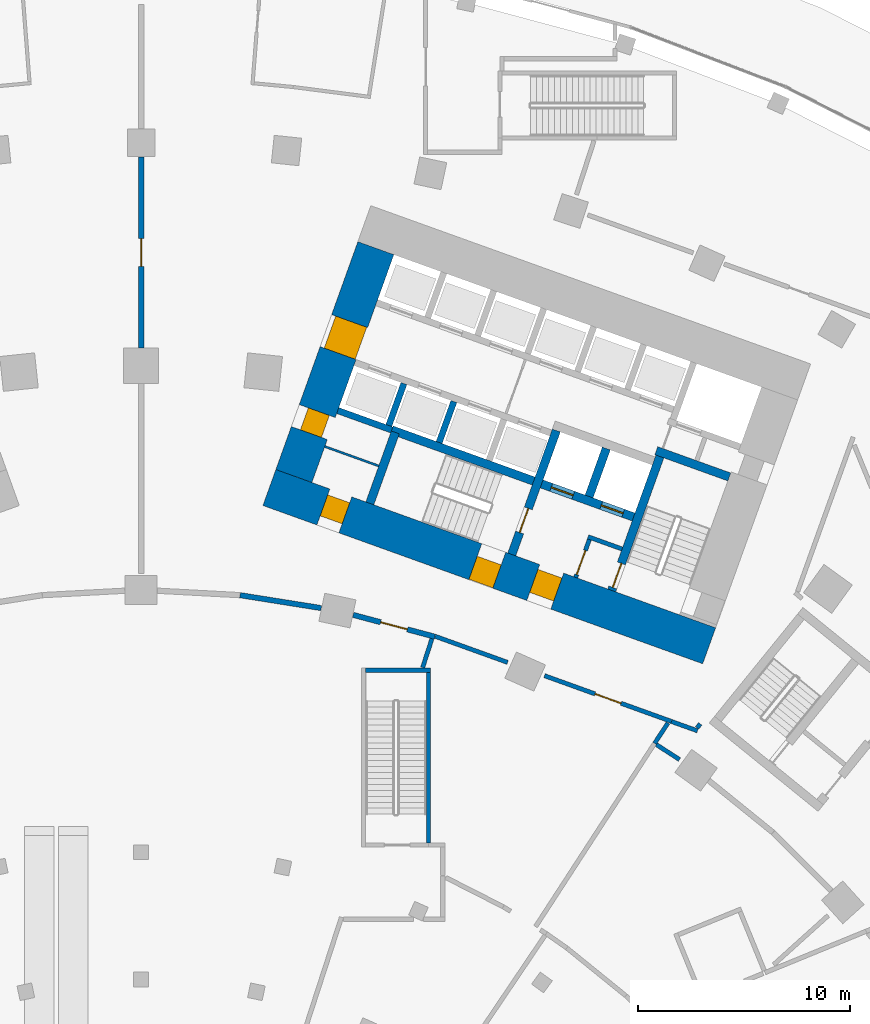
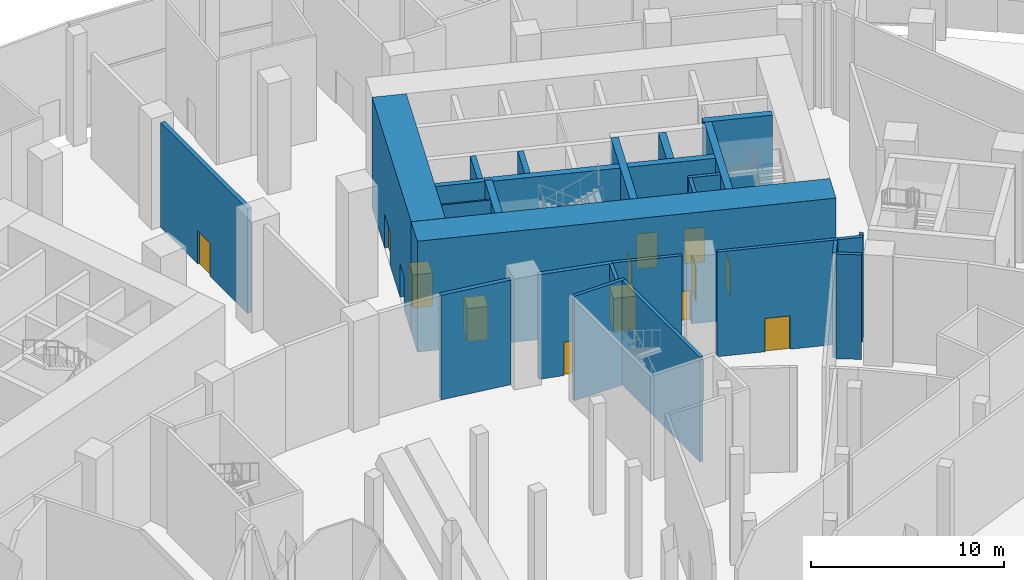
# One storey, part 34 of 60: 26 walls, 13 doors, 13 openings.
"""IFC4 building model written with IfcOpenShell, lengths in metres."""

from ifc_helpers import new_model, si_unit, direction, frame, frame_2d, origin, place, context, subcontext, project, spatial, rectangle, extrude, material, layer, layer_set, type_object, element, fill, save


model = new_model("IFC4")

# Units and contexts
model_context = context("Model", 3, precision=1e-05, world=origin(), true_north=direction((0.0, 1.0)))
body_context = subcontext(model_context, "Body", "Model", "MODEL_VIEW")
ifc_project = project(units=[si_unit("LENGTHUNIT", "METRE"), si_unit("AREAUNIT", "SQUARE_METRE"), si_unit("VOLUMEUNIT", "CUBIC_METRE"), si_unit("PLANEANGLEUNIT", "RADIAN"), si_unit("MASSUNIT", "GRAM", prefix="KILO")], contexts=[model_context])

# Site, building, storey
site_placement = place(None, origin())
site = spatial("IfcSite", under=ifc_project, at=site_placement, CompositionType="ELEMENT")
building_placement = place(site_placement, origin())
building = spatial("IfcBuilding", under=site, at=building_placement, Name="Stone Belt Terrace Tower", CompositionType="ELEMENT")
storey_placement = place(building_placement, origin())
storey = spatial("IfcBuildingStorey", under=building, at=storey_placement, Name="L00", CompositionType="ELEMENT", Elevation=0.0)

# Wall
ifc_material_1 = material(Name="Plasterboard partition")
ifc_layer_1 = layer(ifc_material_1, 0.10009765625)
ifc_layer_set_1 = layer_set([ifc_layer_1], Name="Core partition 100")
wall_type_1 = type_object("IfcWallType", Name="Core partition 100", PredefinedType="PARTITIONING", material=ifc_layer_set_1)
wall_1_placement = place(storey_placement, frame((11.187744140625, 50.2822265625, 0.0), z_axis=(0.0, 0.0, 1.0), x_axis=(-0.940949642365, 0.338546555931, 0.0)))
element("IfcWall", 1, at=wall_1_placement, inside=storey, type_object=wall_type_1, Name="Core B wall", PredefinedType="PARTITIONING", context=body_context, shape_type="SweptSolid", body=[
    extrude(rectangle(XDim=2.699951171875, YDim=0.10009765625, at=frame_2d((1.35009765625, 0.0))), origin(), (0.0, 0.0, 1.0), 6.60009765625),
])

# Wall, openings, doors
ifc_material_2 = material(Name="Concrete B80", Category="concrete")
ifc_layer_2 = layer(ifc_material_2, 1.800048828125)
ifc_layer_set_2 = layer_set([ifc_layer_2], Name="Core wall 1800 B80")
wall_type_2 = type_object("IfcWallType", Name="Core wall 1800 B80", PredefinedType="SHEAR", material=ifc_layer_set_2)
wall_2_placement = place(storey_placement, frame((6.039306640625, 49.265380859375, 0.0), z_axis=(0.0, 0.0, 1.0), x_axis=(0.940921642213, -0.338624368902, 0.0)))
wall_2 = element("IfcWall", 2, at=wall_2_placement, inside=storey, type_object=wall_type_2, Name="Core B wall concave L00", PredefinedType="SHEAR", context=body_context, shape_type="SweptSolid", body=[
    extrude(rectangle(XDim=22.0, YDim=1.800048828125, at=frame_2d((11.0, 0.0))), origin(), (0.0, 0.0, 1.0), 7.0),
])
opening_1_placement = place(wall_2_placement, frame((13.199951171875, 0.0, 0.0)))
opening_1 = element("IfcOpeningElement", 3, at=opening_1_placement, cuts=wall_2, Name="Opening L00-C19", PredefinedType="OPENING", context=body_context, shape_type="SweptSolid", body=[
    extrude(rectangle(XDim=1.199951171875, YDim=2.10009765625, at=frame_2d((0.60009765625, 1.050048828125))), frame((0.0, 0.909912109375, 0.0), z_axis=(0.0, -1.0, 0.0), x_axis=(1.0, 0.0, 0.0)), (0.0, 0.0, 1.0), 1.820068359375),
])
opening_2_placement = place(wall_2_placement, frame((10.300048828125, 0.0, 0.0)))
opening_2 = element("IfcOpeningElement", 4, at=opening_2_placement, cuts=wall_2, Name="Opening L00-C22", PredefinedType="OPENING", context=body_context, shape_type="SweptSolid", body=[
    extrude(rectangle(XDim=1.199951171875, YDim=2.10009765625, at=frame_2d((0.60009765625, 1.050048828125))), frame((0.0, 0.909912109375, 0.0), z_axis=(0.0, -1.0, 0.0), x_axis=(1.0, 0.0, 0.0)), (0.0, 0.0, 1.0), 1.820068359375),
])
opening_3_placement = place(wall_2_placement, frame((2.699951171875, 0.0, 0.0)))
opening_3 = element("IfcOpeningElement", 5, at=opening_3_placement, cuts=wall_2, Name="Opening L00-C24", PredefinedType="OPENING", context=body_context, shape_type="SweptSolid", body=[
    extrude(rectangle(XDim=1.10009765625, YDim=2.10009765625, at=frame_2d((0.550048828125, 1.050048828125))), frame((0.0, 0.909912109375, 0.0), z_axis=(0.0, -1.0, 0.0), x_axis=(1.0, 0.0, 0.0)), (0.0, 0.0, 1.0), 1.820068359375),
])
ifc_material_3 = material(Name="Timber door leaf", Category="wood")
door_type_1 = type_object("IfcDoorType", Name="Core room door 1100", OperationType="SINGLE_SWING_LEFT", PredefinedType="DOOR", material=ifc_material_3)
door_1_placement = place(opening_3_placement, origin())
door_1 = element("IfcDoor", 6, at=door_1_placement, inside=storey, type_object=door_type_1, Name="Door to Cleaner's store core B", OperationType="SINGLE_SWING_RIGHT", OverallHeight=2.10009765625, OverallWidth=1.10009765625, PredefinedType="DOOR", context=body_context, shape_type="SweptSolid", body=[
    extrude(rectangle(XDim=1.10009765625, YDim=2.10009765625, at=frame_2d((0.550048828125, 1.050048828125))), frame((0.0, 0.60498046875, 0.0), z_axis=(0.0, -1.0, 0.0), x_axis=(1.0, 0.0, 0.0)), (0.0, 0.0, 1.0), 1.050048828125),
])
fill(opening_3, door_1)
ifc_material_4 = material(Name="Steel door leaf", Category="steel")
door_type_2 = type_object("IfcDoorType", Name="Fire-fighting lobby door 1200", OperationType="SINGLE_SWING_LEFT", PredefinedType="DOOR", material=ifc_material_4)
door_2_placement = place(opening_1_placement, origin())
door_2 = element("IfcDoor", 7, at=door_2_placement, inside=storey, type_object=door_type_2, Name="Fire-fighting lobby door core B", OperationType="SINGLE_SWING_RIGHT", OverallHeight=2.10009765625, OverallWidth=1.199951171875, PredefinedType="DOOR", context=body_context, shape_type="SweptSolid", body=[
    extrude(rectangle(XDim=1.199951171875, YDim=2.10009765625, at=frame_2d((0.60009765625, 1.050048828125))), frame((0.0, 0.655029296875, 0.0), z_axis=(0.0, -1.0, 0.0), x_axis=(1.0, 0.0, 0.0)), (0.0, 0.0, 1.0), 1.14990234375),
])
fill(opening_1, door_2)
door_type_3 = type_object("IfcDoorType", Name="Stair door 1200", OperationType="SINGLE_SWING_LEFT", PredefinedType="DOOR", material=ifc_material_4)
door_3_placement = place(opening_2_placement, origin())
door_3 = element("IfcDoor", 8, at=door_3_placement, inside=storey, type_object=door_type_3, Name="Stair 2 exit door core B", OperationType="SINGLE_SWING_LEFT", OverallHeight=2.10009765625, OverallWidth=1.199951171875, PredefinedType="DOOR", context=body_context, shape_type="SweptSolid", body=[
    extrude(rectangle(XDim=1.199951171875, YDim=2.10009765625, at=frame_2d((0.60009765625, 1.050048828125))), frame((0.0, 0.27001953125, 0.0), z_axis=(0.0, -1.0, 0.0), x_axis=(1.0, 0.0, 0.0)), (0.0, 0.0, 1.0), 1.14990234375),
])
fill(opening_2, door_3)

wall_3_placement = place(storey_placement, frame((7.19091796875, 49.8076171875, 0.0), z_axis=(0.0, 0.0, 1.0), x_axis=(0.338632255135, 0.940918804033, 0.0)))
wall_3 = element("IfcWall", 9, at=wall_3_placement, inside=storey, type_object=wall_type_2, Name="Core B wall end_a L00", PredefinedType="SHEAR", context=body_context, shape_type="SweptSolid", body=[
    extrude(rectangle(XDim=11.39990234375, YDim=1.800048828125, at=frame_2d((5.699951171875, 0.0))), origin(), (0.0, 0.0, 1.0), 7.0),
])
opening_4_placement = place(wall_3_placement, frame((6.14990234375, 0.0, 0.0)))
opening_4 = element("IfcOpeningElement", 10, at=opening_4_placement, cuts=wall_3, Name="Opening L00-C16", PredefinedType="OPENING", context=body_context, shape_type="SweptSolid", body=[
    extrude(rectangle(XDim=1.60009765625, YDim=2.10009765625, at=frame_2d((0.800048828125, 1.050048828125))), frame((0.0, 0.909912109375, 0.0), z_axis=(0.0, -1.0, 0.0), x_axis=(1.0, 0.0, 0.0)), (0.0, 0.0, 1.0), 1.820068359375),
])
opening_5_placement = place(wall_3_placement, frame((2.14990234375, 0.0, 0.0)))
opening_5 = element("IfcOpeningElement", 11, at=opening_5_placement, cuts=wall_3, Name="Opening L00-C23", PredefinedType="OPENING", context=body_context, shape_type="SweptSolid", body=[
    extrude(rectangle(XDim=1.10009765625, YDim=2.10009765625, at=frame_2d((0.550048828125, 1.050048828125))), frame((0.0, 0.909912109375, 0.0), z_axis=(0.0, -1.0, 0.0), x_axis=(1.0, 0.0, 0.0)), (0.0, 0.0, 1.0), 1.820068359375),
])
door_4_placement = place(opening_5_placement, origin())
door_4 = element("IfcDoor", 12, at=door_4_placement, inside=storey, type_object=door_type_1, Name="Door to Accessible WC core B", OperationType="SINGLE_SWING_LEFT", OverallHeight=2.10009765625, OverallWidth=1.10009765625, PredefinedType="DOOR", context=body_context, shape_type="SweptSolid", body=[
    extrude(rectangle(XDim=1.10009765625, YDim=2.10009765625, at=frame_2d((0.550048828125, 1.050048828125))), frame((0.0, 0.44482421875, 0.0), z_axis=(0.0, -1.0, 0.0), x_axis=(1.0, 0.0, 0.0)), (0.0, 0.0, 1.0), 1.050048828125),
])
fill(opening_5, door_4)
ifc_material_5 = material(Name="Glazed aluminium door leaf", Category="aluminium")
door_type_4 = type_object("IfcDoorType", Name="Lift lobby entrance door 1600", OperationType="DOUBLE_DOOR_SINGLE_SWING", PredefinedType="DOOR", material=ifc_material_5)
door_5_placement = place(opening_4_placement, origin())
door_5 = element("IfcDoor", 13, at=door_5_placement, inside=storey, type_object=door_type_4, Name="Lift lobby entrance door core B", OperationType="DOUBLE_DOOR_SINGLE_SWING", OverallHeight=2.10009765625, OverallWidth=1.60009765625, PredefinedType="DOOR", context=body_context, shape_type="SweptSolid", body=[
    extrude(rectangle(XDim=1.60009765625, YDim=2.10009765625, at=frame_2d((0.800048828125, 1.050048828125))), frame((0.0, 0.69482421875, 0.0), z_axis=(0.0, -1.0, 0.0), x_axis=(1.0, 0.0, 0.0)), (0.0, 0.0, 1.0), 1.550048828125),
])
fill(opening_4, door_5)

# Wall
ifc_layer_3 = layer(ifc_material_2, 0.39990234375)
ifc_layer_set_3 = layer_set([ifc_layer_3], Name="Fire-fighting lift shaft wall 400")
wall_type_3 = type_object("IfcWallType", Name="Fire-fighting lift shaft wall 400", PredefinedType="SHEAR", material=ifc_layer_set_3)
wall_4_placement = place(storey_placement, frame((21.0859375, 48.845458984375, 0.0), z_axis=(0.0, 0.0, 1.0), x_axis=(0.338629416206, 0.940919825745, 0.0)))
element("IfcWall", 14, at=wall_4_placement, inside=storey, type_object=wall_type_3, Name="Core B wall", PredefinedType="SHEAR", context=body_context, shape_type="SweptSolid", body=[
    extrude(rectangle(XDim=2.400146484375, YDim=0.39990234375, at=frame_2d((1.2001953125, 0.0))), origin(), (0.0, 0.0, 1.0), 6.60009765625),
])

# Wall, opening, door
ifc_material_6 = material(Name="Fire-resistant glazing in steel frame", Category="steel")
ifc_layer_4 = layer(ifc_material_6, 0.25)
ifc_layer_set_4 = layer_set([ifc_layer_4], Name="Glazed compartment fire screen 250")
wall_type_4 = type_object("IfcWallType", Name="Glazed compartment fire screen 250", PredefinedType="PARTITIONING", material=ifc_layer_set_4)
wall_5_placement = place(storey_placement, frame((0.0, 55.844970703125, 0.0), z_axis=(0.0, 0.0, 1.0), x_axis=(0.0, 1.0, 0.0)))
wall_5 = element("IfcWall", 15, at=wall_5_placement, inside=storey, type_object=wall_type_4, Name="Compartment fire screen L00 7", PredefinedType="PARTITIONING", context=body_context, shape_type="SweptSolid", body=[
    extrude(rectangle(XDim=8.973876953125, YDim=0.25, at=frame_2d((4.48681640625, 0.0))), origin(), (0.0, 0.0, 1.0), 6.60009765625),
])
opening_6_placement = place(wall_5_placement, frame((3.8369140625, 0.0, 0.0)))
opening_6 = element("IfcOpeningElement", 16, at=opening_6_placement, cuts=wall_5, Name="Opening L00-P39", PredefinedType="OPENING", context=body_context, shape_type="SweptSolid", body=[
    extrude(rectangle(XDim=1.300048828125, YDim=2.10009765625, at=frame_2d((0.64990234375, 1.050048828125))), frame((0.0, 0.135009765625, 0.0), z_axis=(0.0, -1.0, 0.0), x_axis=(1.0, 0.0, 0.0)), (0.0, 0.0, 1.0), 0.27001953125),
])
ifc_material_7 = material(Name="Steel framed fire door leaf", Category="steel")
door_type_5 = type_object("IfcDoorType", Name="Fire door 1300 x 2100 EI 60", OperationType="SINGLE_SWING_LEFT", PredefinedType="DOOR", material=ifc_material_7)
door_6_placement = place(opening_6_placement, origin())
door_6 = element("IfcDoor", 17, at=door_6_placement, inside=storey, type_object=door_type_5, Name="Fire door 1300 x 2100 EI 60", OperationType="SINGLE_SWING_LEFT", OverallHeight=2.10009765625, OverallWidth=1.300048828125, PredefinedType="DOOR", context=body_context, shape_type="SweptSolid", body=[
    extrude(rectangle(XDim=1.300048828125, YDim=2.10009765625, at=frame_2d((0.64990234375, 1.050048828125))), frame((0.0, 0.02490234375, 0.0), z_axis=(0.0, -1.0, 0.0), x_axis=(1.0, 0.0, 0.0)), (0.0, 0.0, 1.0), 0.050048828125),
])
fill(opening_6, door_6)

# Wall
wall_6_placement = place(storey_placement, frame((4.656494140625, 44.198974609375, 0.0), z_axis=(0.0, 0.0, 1.0), x_axis=(0.98758230791, -0.157102466888, 0.0)))
element("IfcWall", 18, at=wall_6_placement, inside=storey, type_object=wall_type_4, Name="Compartment fire screen L00 9", PredefinedType="PARTITIONING", context=body_context, shape_type="SweptSolid", body=[
    extrude(rectangle(XDim=3.87109375, YDim=0.25, at=frame_2d((1.935546875, 0.0))), origin(), (0.0, 0.0, 1.0), 6.60009765625),
])

# Wall, opening, door
wall_7_placement = place(storey_placement, frame((9.9833984375, 43.271240234375, 0.0), z_axis=(0.0, 0.0, 1.0), x_axis=(0.966095249912, -0.258185917697, 0.0)))
wall_7 = element("IfcWall", 19, at=wall_7_placement, inside=storey, type_object=wall_type_4, Name="Compartment fire screen L00 10", PredefinedType="PARTITIONING", context=body_context, shape_type="SweptSolid", body=[
    extrude(rectangle(XDim=3.97802734375, YDim=0.25, at=frame_2d((1.989013671875, 0.0))), origin(), (0.0, 0.0, 1.0), 6.60009765625),
])
opening_7_placement = place(wall_7_placement, frame((1.339111328125, 0.0, 0.0)))
opening_7 = element("IfcOpeningElement", 20, at=opening_7_placement, cuts=wall_7, Name="Opening L00-P38", PredefinedType="OPENING", context=body_context, shape_type="SweptSolid", body=[
    extrude(rectangle(XDim=1.300048828125, YDim=2.10009765625, at=frame_2d((0.64990234375, 1.050048828125))), frame((0.0, 0.135009765625, 0.0), z_axis=(0.0, -1.0, 0.0), x_axis=(1.0, 0.0, 0.0)), (0.0, 0.0, 1.0), 0.27001953125),
])
door_7_placement = place(opening_7_placement, origin())
door_7 = element("IfcDoor", 21, at=door_7_placement, inside=storey, type_object=door_type_5, Name="Fire door 1300 x 2100 EI 60", OperationType="SINGLE_SWING_LEFT", OverallHeight=2.10009765625, OverallWidth=1.300048828125, PredefinedType="DOOR", context=body_context, shape_type="SweptSolid", body=[
    extrude(rectangle(XDim=1.300048828125, YDim=2.10009765625, at=frame_2d((0.64990234375, 1.050048828125))), frame((0.0, 0.02490234375, 0.0), z_axis=(0.0, -1.0, 0.0), x_axis=(1.0, 0.0, 0.0)), (0.0, 0.0, 1.0), 0.050048828125),
])
fill(opening_7, door_7)

# Walls
ifc_layer_5 = layer(ifc_material_2, 0.300048828125)
ifc_layer_set_5 = layer_set([ifc_layer_5], Name="Lift shaft wall 300")
wall_type_5 = type_object("IfcWallType", Name="Lift shaft wall 300", PredefinedType="SHEAR", material=ifc_layer_set_5)
wall_8_placement = place(storey_placement, frame((14.029052734375, 51.38525390625, 0.0), z_axis=(0.0, 0.0, 1.0), x_axis=(0.338681515556, 0.940901073982, 0.0)))
element("IfcWall", 22, at=wall_8_placement, inside=storey, type_object=wall_type_5, Name="Core B wall", PredefinedType="SHEAR", context=body_context, shape_type="SweptSolid", body=[
    extrude(rectangle(XDim=2.050048828125, YDim=0.300048828125, at=frame_2d((1.02490234375, 0.0))), origin(), (0.0, 0.0, 1.0), 6.60009765625),
])
wall_9_placement = place(storey_placement, frame((11.797119140625, 51.975830078125, 0.0), z_axis=(0.0, 0.0, 1.0), x_axis=(-0.940910465161, 0.33865542451, 0.0)))
element("IfcWall", 23, at=wall_9_placement, inside=storey, type_object=wall_type_5, Name="Core B wall", PredefinedType="SHEAR", context=body_context, shape_type="SweptSolid", body=[
    extrude(rectangle(XDim=2.69970703125, YDim=0.300048828125, at=frame_2d((1.349853515625, 0.0))), origin(), (0.0, 0.0, 1.0), 6.60009765625),
])
wall_10_placement = place(storey_placement, frame((11.659912109375, 52.184814453125, 0.0), z_axis=(0.0, 0.0, 1.0), x_axis=(0.338670064856, 0.940905195634, 0.0)))
element("IfcWall", 24, at=wall_10_placement, inside=storey, type_object=wall_type_5, Name="Core B wall", PredefinedType="SHEAR", context=body_context, shape_type="SweptSolid", body=[
    extrude(rectangle(XDim=2.099853515625, YDim=0.300048828125, at=frame_2d((1.0498046875, 0.0))), origin(), (0.0, 0.0, 1.0), 6.60009765625),
])
ifc_material_8 = material(Name="Blockwork wall, plastered both faces", Category="masonry")
ifc_layer_6 = layer(ifc_material_8, 0.199951171875)
ifc_layer_set_6 = layer_set([ifc_layer_6], Name="Podium demising wall 200")
wall_type_6 = type_object("IfcWallType", Name="Podium demising wall 200", PredefinedType="PARTITIONING", material=ifc_layer_set_6)
wall_11_placement = place(storey_placement, frame((13.252197265625, 40.79052734375, 0.0), z_axis=(0.0, 0.0, 1.0), x_axis=(0.307247281282, 0.951629711676, 0.0)))
element("IfcWall", 25, at=wall_11_placement, inside=storey, type_object=wall_type_6, Name="Podium demising wall 200", PredefinedType="PARTITIONING", context=body_context, shape_type="SweptSolid", body=[
    extrude(rectangle(XDim=1.429443359375, YDim=0.199951171875, at=frame_2d((0.71484375, 0.0))), origin(), (0.0, 0.0, 1.0), 6.60009765625),
])
wall_12_placement = place(storey_placement, frame((13.841552734375, 42.263427734375, 0.0), z_axis=(0.0, 0.0, 1.0), x_axis=(0.940809296417, -0.338936377179, 0.0)))
element("IfcWall", 26, at=wall_12_placement, inside=storey, type_object=wall_type_6, Name="Podium demising wall 200", PredefinedType="PARTITIONING", context=body_context, shape_type="SweptSolid", body=[
    extrude(rectangle(XDim=3.626708984375, YDim=0.199951171875, at=frame_2d((1.8134765625, 0.0))), origin(), (0.0, 0.0, 1.0), 6.60009765625),
])

# Wall, opening, door
wall_13_placement = place(storey_placement, frame((18.9873046875, 40.409423828125, 0.0), z_axis=(0.0, 0.0, 1.0), x_axis=(0.940803157829, -0.338953416001, 0.0)))
wall_13 = element("IfcWall", 27, at=wall_13_placement, inside=storey, type_object=wall_type_6, Name="Podium demising wall 200", PredefinedType="PARTITIONING", context=body_context, shape_type="SweptSolid", body=[
    extrude(rectangle(XDim=6.355712890625, YDim=0.199951171875, at=frame_2d((3.177734375, 0.0))), origin(), (0.0, 0.0, 1.0), 6.60009765625),
])
opening_8_placement = place(wall_13_placement, frame((2.52783203125, 0.0, 0.0)))
opening_8 = element("IfcOpeningElement", 28, at=opening_8_placement, cuts=wall_13, Name="Opening L00-P33", PredefinedType="OPENING", context=body_context, shape_type="SweptSolid", body=[
    extrude(rectangle(XDim=1.300048828125, YDim=2.10009765625, at=frame_2d((0.64990234375, 1.050048828125))), frame((0.0, 0.10986328125, 0.0), z_axis=(0.0, -1.0, 0.0), x_axis=(1.0, 0.0, 0.0)), (0.0, 0.0, 1.0), 0.219970703125),
])
door_8_placement = place(opening_8_placement, origin())
door_8 = element("IfcDoor", 29, at=door_8_placement, inside=storey, type_object=door_type_5, Name="Fire door 1300 x 2100 EI 60", OperationType="SINGLE_SWING_LEFT", OverallHeight=2.10009765625, OverallWidth=1.300048828125, PredefinedType="DOOR", context=body_context, shape_type="SweptSolid", body=[
    extrude(rectangle(XDim=1.300048828125, YDim=2.10009765625, at=frame_2d((0.64990234375, 1.050048828125))), frame((0.0, 0.02490234375, 0.0), z_axis=(0.0, -1.0, 0.0), x_axis=(1.0, 0.0, 0.0)), (0.0, 0.0, 1.0), 0.050048828125),
])
fill(opening_8, door_8)

# Walls
wall_14_placement = place(storey_placement, frame((24.170166015625, 37.22021484375, 0.0), z_axis=(0.0, 0.0, 1.0), x_axis=(0.547437860913, 0.836846335021, 0.0)))
element("IfcWall", 30, at=wall_14_placement, inside=storey, type_object=wall_type_6, Name="Podium demising wall 200", PredefinedType="PARTITIONING", context=body_context, shape_type="SweptSolid", body=[
    extrude(rectangle(XDim=1.151611328125, YDim=0.199951171875, at=frame_2d((0.57568359375, 0.0))), origin(), (0.0, 0.0, 1.0), 6.60009765625),
])
wall_15_placement = place(storey_placement, frame((24.25390625, 37.165771484375, 0.0), z_axis=(0.0, 0.0, 1.0), x_axis=(0.839928549221, -0.542696998521, 0.0)))
element("IfcWall", 31, at=wall_15_placement, inside=storey, type_object=wall_type_6, Name="Podium demising wall 200", PredefinedType="PARTITIONING", context=body_context, shape_type="SweptSolid", body=[
    extrude(rectangle(XDim=1.296875, YDim=0.199951171875, at=frame_2d((0.6484375, 0.0))), origin(), (0.0, 0.0, 1.0), 6.60009765625),
])
wall_16_placement = place(storey_placement, frame((24.96728515625, 38.251708984375, 0.0), z_axis=(0.0, 0.0, 1.0), x_axis=(0.941554531532, -0.336860600474, 0.0)))
element("IfcWall", 32, at=wall_16_placement, inside=storey, type_object=wall_type_6, Name="Podium demising wall 200", PredefinedType="PARTITIONING", context=body_context, shape_type="SweptSolid", body=[
    extrude(rectangle(XDim=1.298095703125, YDim=0.199951171875, at=frame_2d((0.64892578125, 0.0))), origin(), (0.0, 0.0, 1.0), 6.60009765625),
])
wall_17_placement = place(storey_placement, frame((26.17041015625, 37.951416015625, 0.0), z_axis=(0.0, 0.0, 1.0), x_axis=(0.621845548103, 0.783139907235, 0.0)))
element("IfcWall", 33, at=wall_17_placement, inside=storey, type_object=wall_type_6, Name="Podium demising wall 200", PredefinedType="PARTITIONING", context=body_context, shape_type="SweptSolid", body=[
    extrude(rectangle(XDim=0.24072265625, YDim=0.199951171875, at=frame_2d((0.120361328125, 0.0))), origin(), (0.0, 0.0, 1.0), 6.60009765625),
])
ifc_material_9 = material(Name="Concrete B30", Category="concrete")
ifc_layer_7 = layer(ifc_material_9, 0.199951171875)
ifc_layer_set_7 = layer_set([ifc_layer_7], Name="Podium stair and shaft wall 200")
wall_type_7 = type_object("IfcWallType", Name="Podium stair and shaft wall 200", PredefinedType="SOLIDWALL", material=ifc_layer_set_7)
wall_18_placement = place(storey_placement, frame((10.570068359375, 40.659912109375, 0.0), z_axis=(0.0, 0.0, 1.0), x_axis=(1.0, 0.0, 0.0)))
element("IfcWall", 34, at=wall_18_placement, inside=storey, type_object=wall_type_7, Name="Podium stair and shaft wall 200", PredefinedType="SOLIDWALL", context=body_context, shape_type="SweptSolid", body=[
    extrude(rectangle(XDim=3.059814453125, YDim=0.199951171875, at=frame_2d((1.52978515625, 0.0))), origin(), (0.0, 0.0, 1.0), 6.60009765625),
])
wall_19_placement = place(storey_placement, frame((13.530029296875, 32.5400390625, 0.0), z_axis=(0.0, 0.0, 1.0), x_axis=(0.0, 1.0, 0.0)))
element("IfcWall", 35, at=wall_19_placement, inside=storey, type_object=wall_type_7, Name="Podium stair and shaft wall 200", PredefinedType="SOLIDWALL", context=body_context, shape_type="SweptSolid", body=[
    extrude(rectangle(XDim=8.02001953125, YDim=0.199951171875, at=frame_2d((4.010009765625, 0.0))), origin(), (0.0, 0.0, 1.0), 6.60009765625),
])
ifc_material_10 = material(Name="Concrete masonry block", Category="masonry")
ifc_layer_8 = layer(ifc_material_10, 0.199951171875)
ifc_layer_set_8 = layer_set([ifc_layer_8], Name="Rated lobby wall 200")
wall_type_8 = type_object("IfcWallType", Name="Rated lobby wall 200", PredefinedType="PARTITIONING", material=ifc_layer_set_8)
wall_20_placement = place(storey_placement, frame((22.640625, 46.373046875, 0.0), z_axis=(0.0, 0.0, 1.0), x_axis=(-0.940966110313, 0.338500781747, 0.0)))
element("IfcWall", 36, at=wall_20_placement, inside=storey, type_object=wall_type_8, Name="Core B wall", PredefinedType="PARTITIONING", context=body_context, shape_type="SweptSolid", body=[
    extrude(rectangle(XDim=1.699951171875, YDim=0.199951171875, at=frame_2d((0.85009765625, 0.0))), origin(), (0.0, 0.0, 1.0), 6.60009765625),
])

# Wall, opening, door
wall_21_placement = place(storey_placement, frame((20.4580078125, 45.032958984375, 0.0), z_axis=(0.0, 0.0, 1.0), x_axis=(0.338573865316, 0.940939816208, 0.0)))
wall_21 = element("IfcWall", 37, at=wall_21_placement, inside=storey, type_object=wall_type_8, Name="Core B wall", PredefinedType="PARTITIONING", context=body_context, shape_type="SweptSolid", body=[
    extrude(rectangle(XDim=1.900146484375, YDim=0.199951171875, at=frame_2d((0.9501953125, 0.0))), origin(), (0.0, 0.0, 1.0), 6.60009765625),
])
opening_9_placement = place(wall_21_placement, frame((0.14990234375, 0.0, 0.0)))
opening_9 = element("IfcOpeningElement", 38, at=opening_9_placement, cuts=wall_21, Name="Opening L00-C18", PredefinedType="OPENING", context=body_context, shape_type="SweptSolid", body=[
    extrude(rectangle(XDim=1.199951171875, YDim=2.10009765625, at=frame_2d((0.60009765625, 1.050048828125))), frame((0.0, 0.10986328125, 0.0), z_axis=(0.0, -1.0, 0.0), x_axis=(1.0, 0.0, 0.0)), (0.0, 0.0, 1.0), 0.219970703125),
])
door_9_placement = place(opening_9_placement, origin())
door_9 = element("IfcDoor", 39, at=door_9_placement, inside=storey, type_object=door_type_3, Name="Stair airlock door core B", OperationType="SINGLE_SWING_RIGHT", OverallHeight=2.10009765625, OverallWidth=1.199951171875, PredefinedType="DOOR", context=body_context, shape_type="SweptSolid", body=[
    extrude(rectangle(XDim=1.199951171875, YDim=2.10009765625, at=frame_2d((0.60009765625, 1.050048828125))), frame((0.0, 0.02490234375, 0.0), z_axis=(0.0, -1.0, 0.0), x_axis=(1.0, 0.0, 0.0)), (0.0, 0.0, 1.0), 0.050048828125),
])
fill(opening_9, door_9)

# Wall
ifc_layer_9 = layer(ifc_material_2, 0.39990234375)
ifc_layer_set_9 = layer_set([ifc_layer_9], Name="Stair enclosure wall 400")
wall_type_9 = type_object("IfcWallType", Name="Stair enclosure wall 400", PredefinedType="SHEAR", material=ifc_layer_set_9)
wall_22_placement = place(storey_placement, frame((27.687255859375, 49.764404296875, 0.0), z_axis=(0.0, 0.0, 1.0), x_axis=(-0.940918954884, 0.338631835981, 0.0)))
element("IfcWall", 40, at=wall_22_placement, inside=storey, type_object=wall_type_9, Name="Core B wall", PredefinedType="SHEAR", context=body_context, shape_type="SweptSolid", body=[
    extrude(rectangle(XDim=3.650146484375, YDim=0.39990234375, at=frame_2d((1.8251953125, 0.0))), origin(), (0.0, 0.0, 1.0), 6.60009765625),
])

# Wall, opening, door
wall_23_placement = place(storey_placement, frame((22.151611328125, 44.42333984375, 0.0), z_axis=(0.0, 0.0, 1.0), x_axis=(0.338625272931, 0.940921316866, 0.0)))
wall_23 = element("IfcWall", 41, at=wall_23_placement, inside=storey, type_object=wall_type_9, Name="Core B wall", PredefinedType="SHEAR", context=body_context, shape_type="SweptSolid", body=[
    extrude(rectangle(XDim=6.699951171875, YDim=0.39990234375, at=frame_2d((3.35009765625, 0.0))), origin(), (0.0, 0.0, 1.0), 6.60009765625),
])
opening_10_placement = place(wall_23_placement, frame((0.14990234375, 0.0, 0.0)))
opening_10 = element("IfcOpeningElement", 42, at=opening_10_placement, cuts=wall_23, Name="Opening L00-C17", PredefinedType="OPENING", context=body_context, shape_type="SweptSolid", body=[
    extrude(rectangle(XDim=1.199951171875, YDim=2.10009765625, at=frame_2d((0.60009765625, 1.050048828125))), frame((0.0, 0.2099609375, 0.0), z_axis=(0.0, -1.0, 0.0), x_axis=(1.0, 0.0, 0.0)), (0.0, 0.0, 1.0), 0.419921875),
])
door_10_placement = place(opening_10_placement, origin())
door_10 = element("IfcDoor", 43, at=door_10_placement, inside=storey, type_object=door_type_3, Name="Stair 1 door core B", OperationType="SINGLE_SWING_RIGHT", OverallHeight=2.10009765625, OverallWidth=1.199951171875, PredefinedType="DOOR", context=body_context, shape_type="SweptSolid", body=[
    extrude(rectangle(XDim=1.199951171875, YDim=2.10009765625, at=frame_2d((0.60009765625, 1.050048828125))), frame((0.0, 0.02490234375, 0.0), z_axis=(0.0, -1.0, 0.0), x_axis=(1.0, 0.0, 0.0)), (0.0, 0.0, 1.0), 0.050048828125),
])
fill(opening_10, door_10)

# Wall, openings, doors
wall_24_placement = place(storey_placement, frame((23.182373046875, 47.87841796875, 0.0), z_axis=(0.0, 0.0, 1.0), x_axis=(-0.940921101762, 0.338625870628, 0.0)))
wall_24 = element("IfcWall", 44, at=wall_24_placement, inside=storey, type_object=wall_type_9, Name="Core B wall", PredefinedType="SHEAR", context=body_context, shape_type="SweptSolid", body=[
    extrude(rectangle(XDim=12.10009765625, YDim=0.39990234375, at=frame_2d((6.050048828125, 0.0))), origin(), (0.0, 0.0, 1.0), 6.60009765625),
])
opening_11_placement = place(wall_24_placement, frame((0.52001953125, 0.0, 0.0)))
opening_11 = element("IfcOpeningElement", 45, at=opening_11_placement, cuts=wall_24, Name="Opening L00-LD20", PredefinedType="OPENING", context=body_context, shape_type="SweptSolid", body=[
    extrude(rectangle(XDim=1.10009765625, YDim=2.199951171875, at=frame_2d((0.550048828125, 1.10009765625))), frame((0.0, 0.2099609375, 0.0), z_axis=(0.0, -1.0, 0.0), x_axis=(1.0, 0.0, 0.0)), (0.0, 0.0, 1.0), 0.419921875),
])
opening_12_placement = place(wall_24_placement, frame((3.02001953125, 0.0, 0.0)))
opening_12 = element("IfcOpeningElement", 46, at=opening_12_placement, cuts=wall_24, Name="Opening L00-LD21", PredefinedType="OPENING", context=body_context, shape_type="SweptSolid", body=[
    extrude(rectangle(XDim=1.10009765625, YDim=2.199951171875, at=frame_2d((0.550048828125, 1.10009765625))), frame((0.0, 0.2099609375, 0.0), z_axis=(0.0, -1.0, 0.0), x_axis=(1.0, 0.0, 0.0)), (0.0, 0.0, 1.0), 0.419921875),
])
ifc_material_11 = material(Name="Stainless steel door leaf", Category="steel")
door_type_6 = type_object("IfcDoorType", Name="Landing door 1100", OperationType="SLIDING_TO_LEFT", PredefinedType="DOOR", material=ifc_material_11)
door_11_placement = place(opening_11_placement, origin())
door_11 = element("IfcDoor", 47, at=door_11_placement, inside=storey, type_object=door_type_6, Name="Landing door FF1 core B", OperationType="SLIDING_TO_LEFT", OverallHeight=2.199951171875, OverallWidth=1.10009765625, PredefinedType="DOOR", context=body_context, shape_type="SweptSolid", body=[
    extrude(rectangle(XDim=1.10009765625, YDim=2.199951171875, at=frame_2d((0.550048828125, 1.10009765625))), frame((0.0, 0.02490234375, 0.0), z_axis=(0.0, -1.0, 0.0), x_axis=(1.0, 0.0, 0.0)), (0.0, 0.0, 1.0), 0.050048828125),
])
fill(opening_11, door_11)
door_12_placement = place(opening_12_placement, origin())
door_12 = element("IfcDoor", 48, at=door_12_placement, inside=storey, type_object=door_type_6, Name="Landing door FF2 core B", OperationType="SLIDING_TO_LEFT", OverallHeight=2.199951171875, OverallWidth=1.10009765625, PredefinedType="DOOR", context=body_context, shape_type="SweptSolid", body=[
    extrude(rectangle(XDim=1.10009765625, YDim=2.199951171875, at=frame_2d((0.550048828125, 1.10009765625))), frame((0.0, 0.02490234375, 0.0), z_axis=(0.0, -1.0, 0.0), x_axis=(1.0, 0.0, 0.0)), (0.0, 0.0, 1.0), 0.050048828125),
])
fill(opening_12, door_12)

# Wall, opening, door
wall_25_placement = place(storey_placement, frame((17.447021484375, 46.116455078125, 0.0), z_axis=(0.0, 0.0, 1.0), x_axis=(0.33860791464, 0.940927563707, 0.0)))
wall_25 = element("IfcWall", 49, at=wall_25_placement, inside=storey, type_object=wall_type_9, Name="Core B wall", PredefinedType="SHEAR", context=body_context, shape_type="SweptSolid", body=[
    extrude(rectangle(XDim=6.199951171875, YDim=0.39990234375, at=frame_2d((3.10009765625, 0.0))), origin(), (0.0, 0.0, 1.0), 6.60009765625),
])
opening_13_placement = place(wall_25_placement, frame((1.10009765625, 0.0, 0.0)))
opening_13 = element("IfcOpeningElement", 50, at=opening_13_placement, cuts=wall_25, Name="Opening L00-C20", PredefinedType="OPENING", context=body_context, shape_type="SweptSolid", body=[
    extrude(rectangle(XDim=1.199951171875, YDim=2.10009765625, at=frame_2d((0.60009765625, 1.050048828125))), frame((0.0, 0.2099609375, 0.0), z_axis=(0.0, -1.0, 0.0), x_axis=(1.0, 0.0, 0.0)), (0.0, 0.0, 1.0), 0.419921875),
])
door_13_placement = place(opening_13_placement, origin())
door_13 = element("IfcDoor", 51, at=door_13_placement, inside=storey, type_object=door_type_3, Name="Stair 2 door core B", OperationType="SINGLE_SWING_RIGHT", OverallHeight=2.10009765625, OverallWidth=1.199951171875, PredefinedType="DOOR", context=body_context, shape_type="SweptSolid", body=[
    extrude(rectangle(XDim=1.199951171875, YDim=2.10009765625, at=frame_2d((0.60009765625, 1.050048828125))), frame((0.0, 0.02490234375, 0.0), z_axis=(0.0, -1.0, 0.0), x_axis=(1.0, 0.0, 0.0)), (0.0, 0.0, 1.0), 0.050048828125),
])
fill(opening_13, door_13)

# Wall
wall_26_placement = place(storey_placement, frame((10.766357421875, 48.520751953125, 0.0), z_axis=(0.0, 0.0, 1.0), x_axis=(0.338626928157, 0.94092072117, 0.0)))
element("IfcWall", 52, at=wall_26_placement, inside=storey, type_object=wall_type_9, Name="Core B wall", PredefinedType="SHEAR", context=body_context, shape_type="SweptSolid", body=[
    extrude(rectangle(XDim=3.550048828125, YDim=0.39990234375, at=frame_2d((1.77490234375, 0.0))), origin(), (0.0, 0.0, 1.0), 6.60009765625),
])

save(model, "model.ifc")
